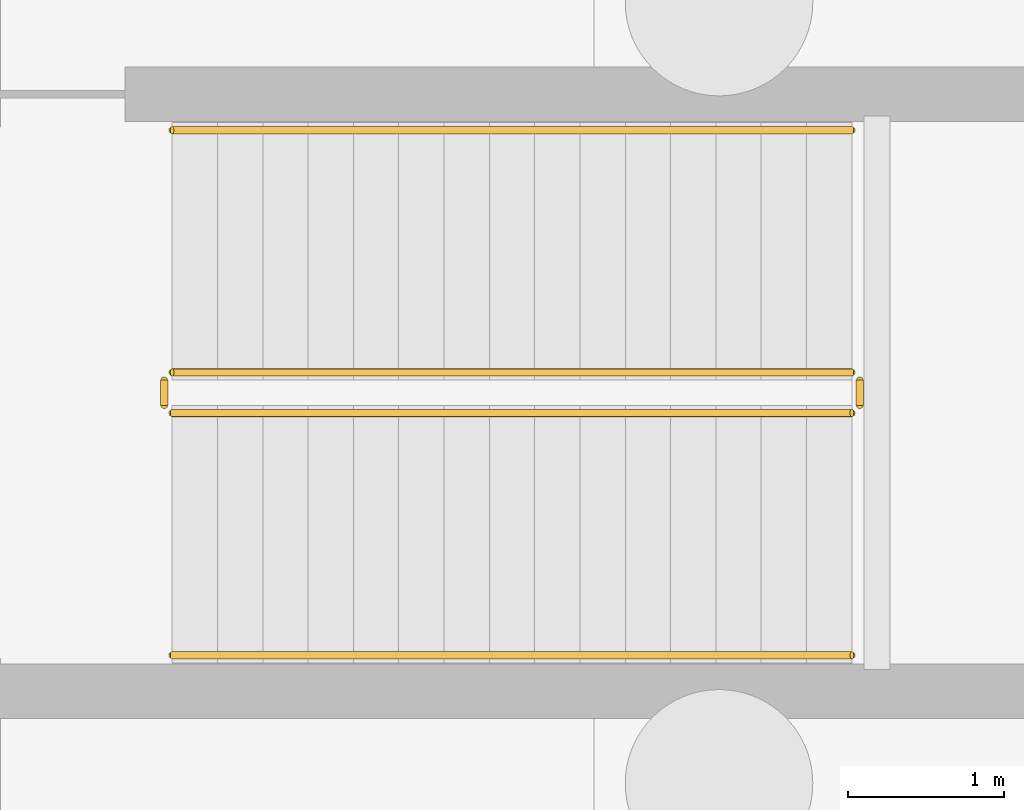
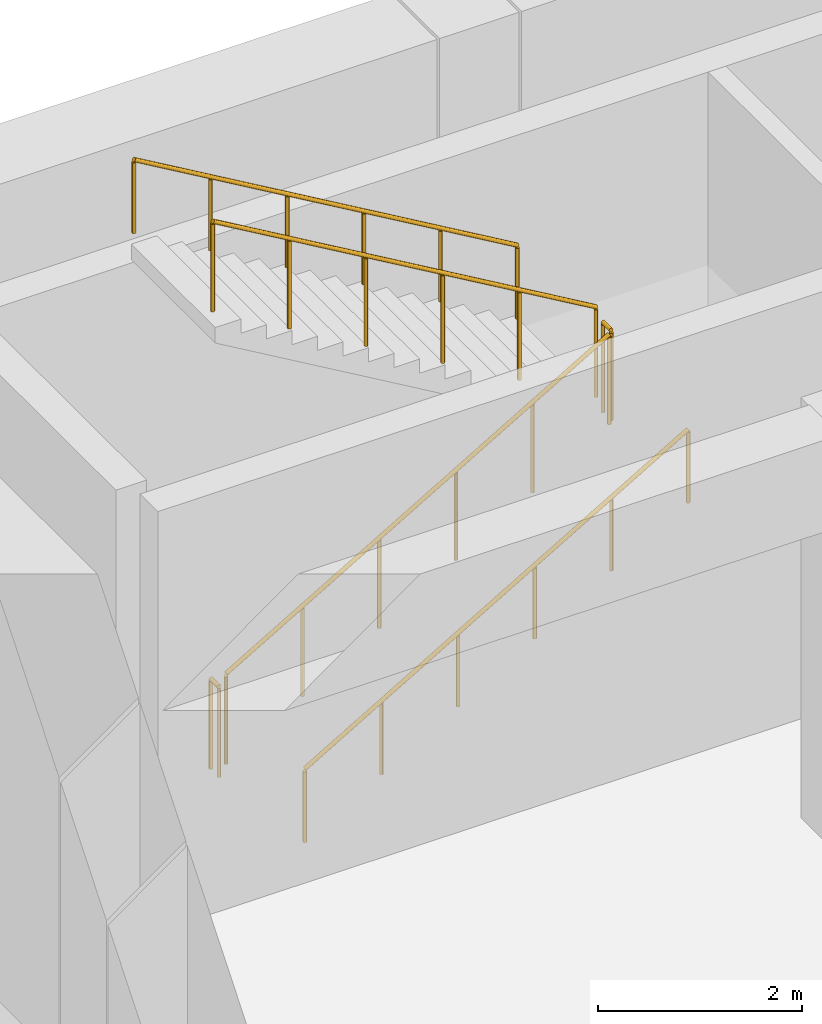
# One storey, part 11 of 12: 6 railings.
"""IFC4 building model written with IfcOpenShell, lengths in metres."""

import ifcopenshell
import ifcopenshell.guid

model = None  # the IFC model being written
_history = None  # IfcOwnerHistory: only IFC2X3 demands one
_inside = {}  # id of a spatial element -> (the spatial element, [elements in it])
_under = {}  # id of a project, library or spatial element -> (it, [spatial elements below it])
_declared = {}  # id of a project -> (the project, [libraries it declares])
_typed = {}  # id of a type object -> (the type object, [elements of that type])
_made_of = {}  # id of a material, layer set ... -> (it, [elements and type objects made of it])


def new_model(schema):
    """Start an empty IFC model of exactly this schema.

    Asked for "IFC4X3", IfcOpenShell would pick the latest addendum, in which some entities
    have other attributes; the version numbers below select the first issue.
    IFC2X3 requires an IfcOwnerHistory on every rooted entity: one is made here for all.
    """
    global model, _history
    if schema == "IFC4X3":
        model = ifcopenshell.file(schema_version=(4, 3, 0, 0))
    else:
        model = ifcopenshell.file(schema=schema)
    _inside.clear()
    _under.clear()
    _declared.clear()
    _typed.clear()
    _made_of.clear()
    _history = None
    if model.schema == "IFC2X3":
        org = make("IfcOrganization", Name="unknown")
        user = make(
            "IfcPersonAndOrganization",
            ThePerson=make("IfcPerson", FamilyName="unknown"),
            TheOrganization=org,
        )
        app = make(
            "IfcApplication",
            ApplicationDeveloper=org,
            Version="unknown",
            ApplicationFullName="unknown",
            ApplicationIdentifier="unknown",
        )
        _history = make(
            "IfcOwnerHistory",
            OwningUser=user,
            OwningApplication=app,
            ChangeAction="ADDED",
            CreationDate=0,
        )
    return model


def make(cls, **values):
    """One entity of the class cls with the attributes given. An attribute that is None is left unset."""
    return model.create_entity(
        cls, **{name: value for name, value in values.items() if value is not None}
    )


def rooted(cls, **values):
    """An entity with a GlobalId (a new one), such as an element, a storey or a relation."""
    return make(cls, GlobalId=ifcopenshell.guid.new(), OwnerHistory=_history, **values)


def si_unit(unit_type, name, prefix=None):
    """IfcSIUnit, for example si_unit("LENGTHUNIT", "METRE", prefix="MILLI")."""
    return make("IfcSIUnit", UnitType=unit_type, Prefix=prefix, Name=name)


def assignment(units):
    """IfcUnitAssignment: the units of a project."""
    return None if units is None else make("IfcUnitAssignment", Units=units)


def point(xyz):
    """IfcCartesianPoint."""
    return None if xyz is None else make("IfcCartesianPoint", Coordinates=xyz)


def direction(xyz):
    """IfcDirection."""
    return None if xyz is None else make("IfcDirection", DirectionRatios=xyz)


def frame(location, z_axis=None, x_axis=None):
    """IfcAxis2Placement3D, a coordinate frame: its origin and axes. An axis left out is left unset."""
    return make(
        "IfcAxis2Placement3D",
        Location=point(location),
        Axis=direction(z_axis),
        RefDirection=direction(x_axis),
    )


def frame_2d(location, x_axis=None):
    """IfcAxis2Placement2D, a coordinate frame in the plane: its origin and x axis."""
    return make(
        "IfcAxis2Placement2D", Location=point(location), RefDirection=direction(x_axis)
    )


def origin():
    """The frame at (0, 0, 0) with its axes left unset."""
    return frame((0.0, 0.0, 0.0))


def origin_2d():
    """The frame at (0, 0) in the plane with its x axis left unset."""
    return frame_2d((0.0, 0.0))


def place(relative_to, where):
    """IfcLocalPlacement: puts the frame where relative to a parent placement (None: the world)."""
    return make(
        "IfcLocalPlacement", PlacementRelTo=relative_to, RelativePlacement=where
    )


def context(
    kind, dimensions, precision=None, world=None, true_north=None, identifier=None
):
    """IfcGeometricRepresentationContext, for example the 3D "Model" context."""
    return make(
        "IfcGeometricRepresentationContext",
        ContextIdentifier=identifier,
        ContextType=kind,
        CoordinateSpaceDimension=dimensions,
        Precision=precision,
        WorldCoordinateSystem=world,
        TrueNorth=true_north,
    )


def subcontext(parent, identifier, kind, view, scale=None):
    """IfcGeometricRepresentationSubContext, for example "Body" below "Model"."""
    return make(
        "IfcGeometricRepresentationSubContext",
        ContextIdentifier=identifier,
        ContextType=kind,
        ParentContext=parent,
        TargetScale=scale,
        TargetView=view,
    )


def project(units=None, contexts=None):
    """IfcProject with its units and contexts."""
    return rooted(
        "IfcProject",
        Name="project",
        RepresentationContexts=contexts,
        UnitsInContext=assignment(units),
    )


def spatial(cls, under=None, at=None, **own):
    """A site, building, storey or space (cls), placed at a placement, below another one or the project."""
    s = rooted(cls, ObjectPlacement=at, **own)
    if under is not None:
        _under.setdefault(under.id(), (under, []))[1].append(s)
    return s


def profile(cls, at=None, kind="AREA", **sizes):
    """A parametric profile (cls). Its sizes go by their IFC names, for example OverallWidth=200.0."""
    return make(cls, ProfileType=kind, Position=at, **sizes)


def circle(**sizes):
    """IfcCircleProfileDef."""
    return profile("IfcCircleProfileDef", **sizes)


def extrude(swept, where, along, depth):
    """IfcExtrudedAreaSolid: the profile swept, set in the frame where, extruded along a direction by depth."""
    return make(
        "IfcExtrudedAreaSolid",
        SweptArea=swept,
        Position=where,
        ExtrudedDirection=direction(along),
        Depth=depth,
    )


def shape(context_of_items, identifier, shape_type, items):
    """IfcShapeRepresentation: the items that make up one representation, for example the "Body"."""
    return make(
        "IfcShapeRepresentation",
        ContextOfItems=context_of_items,
        RepresentationIdentifier=identifier,
        RepresentationType=shape_type,
        Items=items,
    )


def material(Name=None, Category=None):
    """IfcMaterial."""
    return make("IfcMaterial", Name=Name, Category=Category)


def made_of(thing, what):
    """Note that an element or type object is made of a material, layer set ...; save() writes the relation."""
    if what is not None:
        _made_of.setdefault(what.id(), (what, []))[1].append(thing)
    return thing


def type_object(cls, material=None, **own):
    """A type object (cls), such as IfcWallType, which elements share."""
    return made_of(rooted(cls, **own), material)


def element(
    cls,
    number,
    at=None,
    inside=None,
    cuts=None,
    type_object=None,
    material=None,
    context=None,
    identifier="Body",
    shape_type=None,
    held_by="IfcProductDefinitionShape",
    body=None,
    shapes=None,
    **own,
):
    """One element of the class cls, such as IfcWall. Its Tag is "e" and its number.

    at: its placement. inside: the storey or other place that contains it. cuts: it is an
    opening in that element (IfcRelVoidsElement). A single representation is given by context,
    identifier, shape_type and body (its items); several are given by shapes. held_by: the class
    of the entity that holds the representations. save() writes the other relations.
    """
    e = rooted(cls, Tag="e%d" % number, ObjectPlacement=at, **own)
    if body is not None:
        shapes = [shape(context, identifier, shape_type, body)]
    if shapes is not None:
        e.Representation = make(held_by, Representations=shapes)
    if inside is not None:
        _inside.setdefault(inside.id(), (inside, []))[1].append(e)
    if cuts is not None:
        rooted(
            "IfcRelVoidsElement", RelatingBuildingElement=cuts, RelatedOpeningElement=e
        )
    if type_object is not None:
        _typed.setdefault(type_object.id(), (type_object, []))[1].append(e)
    return made_of(e, material)


def aggregate(whole, parts):
    """IfcRelAggregates: a whole, such as a stair, and the parts it consists of."""
    return rooted("IfcRelAggregates", RelatingObject=whole, RelatedObjects=parts)


def save(model, path):
    """Write the relations noted so far, then the file.

    IfcRelAggregates (storeys below a building ...), IfcRelContainedInSpatialStructure (elements
    in a storey), IfcRelDefinesByType, IfcRelAssociatesMaterial and IfcRelDeclares: one each for
    every whole, place, type object, material and project.
    """
    for whole, parts in _under.values():
        aggregate(whole, parts)
    for where, things in _inside.values():
        rooted(
            "IfcRelContainedInSpatialStructure",
            RelatedElements=things,
            RelatingStructure=where,
        )
    for kind, things in _typed.values():
        rooted("IfcRelDefinesByType", RelatedObjects=things, RelatingType=kind)
    for what, things in _made_of.values():
        rooted("IfcRelAssociatesMaterial", RelatedObjects=things, RelatingMaterial=what)
    for by, libraries in _declared.values():
        rooted("IfcRelDeclares", RelatingContext=by, RelatedDefinitions=libraries)
    model.write(path)


model = new_model("IFC4")

# Units and contexts
model_context = context("Model", 3, precision=1e-05, world=origin(), true_north=direction((0.0, 1.0)))
body_context = subcontext(model_context, "Body", "Model", "MODEL_VIEW")
ifc_project = project(units=[si_unit("LENGTHUNIT", "METRE"), si_unit("AREAUNIT", "SQUARE_METRE"), si_unit("VOLUMEUNIT", "CUBIC_METRE"), si_unit("PLANEANGLEUNIT", "RADIAN"), si_unit("MASSUNIT", "GRAM", prefix="KILO")], contexts=[model_context])

# Site, building, storey
site_placement = place(None, origin())
site = spatial("IfcSite", under=ifc_project, at=site_placement, CompositionType="ELEMENT")
building_placement = place(site_placement, origin())
building = spatial("IfcBuilding", under=site, at=building_placement, Name="Kranzveld Transit Interchange", CompositionType="ELEMENT")
storey_placement = place(building_placement, frame((0.0, 0.0, -10.8798828125)))
storey = spatial("IfcBuildingStorey", under=building, at=storey_placement, Name="B2", CompositionType="ELEMENT", Elevation=-10.8798828125)

# Railings
ifc_material_1 = material(Name="Steel S355JR", Category="steel")
railing_type_1 = type_object("IfcRailingType", Name="Stair & Ramp Handrail Steel 900", PredefinedType="HANDRAIL", material=ifc_material_1)
railing_1_placement = place(storey_placement, frame((104.199951171875, 74.320068359375, 0.169921875)))
element("IfcRailing", 1, at=railing_1_placement, inside=storey, type_object=railing_type_1, Name="B2 ST-V4A stair handrail 1", PredefinedType="HANDRAIL", context=body_context, shape_type="SweptSolid", body=[
    extrude(circle(Radius=0.02392578125, at=origin_2d()), frame((0.0, 0.0, 0.8759765625), z_axis=(0.862698698498, 0.0, 0.505718257145), x_axis=(0.0, 1.0, 0.0)), (0.0, 0.0, 1.0), 5.04248046875),
    extrude(circle(Radius=0.02099609375, at=origin_2d()), origin(), (0.0, 0.0, 1.0), 0.849853515625),
    extrude(circle(Radius=0.02099609375, at=origin_2d()), frame((0.8701171875, 0.0, 0.510009765625)), (0.0, 0.0, 1.0), 0.849853515625),
    extrude(circle(Radius=0.02099609375, at=origin_2d()), frame((1.739990234375, 0.0, 1.02001953125)), (0.0, 0.0, 1.0), 0.849853515625),
    extrude(circle(Radius=0.02099609375, at=origin_2d()), frame((2.610107421875, 0.0, 1.530029296875)), (0.0, 0.0, 1.0), 0.849853515625),
    extrude(circle(Radius=0.02099609375, at=origin_2d()), frame((3.47998046875, 0.0, 2.0400390625)), (0.0, 0.0, 1.0), 0.849853515625),
    extrude(circle(Radius=0.02099609375, at=origin_2d()), frame((4.35009765625, 0.0, 2.550048828125)), (0.0, 0.0, 1.0), 0.849853515625),
])
railing_2_placement = place(storey_placement, frame((108.550048828125, 77.679931640625, 2.889892578125)))
element("IfcRailing", 2, at=railing_2_placement, inside=storey, type_object=railing_type_1, Name="B2 ST-V4A stair handrail 2", PredefinedType="HANDRAIL", context=body_context, shape_type="SweptSolid", body=[
    extrude(circle(Radius=0.02392578125, at=origin_2d()), frame((0.0, 0.0, 0.8759765625), z_axis=(-0.862698698498, 0.0, 0.505718257145), x_axis=(0.0, -1.0, 0.0)), (0.0, 0.0, 1.0), 5.04248046875),
    extrude(circle(Radius=0.02099609375, at=origin_2d()), origin(), (0.0, 0.0, 1.0), 0.849853515625),
    extrude(circle(Radius=0.02099609375, at=origin_2d()), frame((-0.8701171875, 0.0, 0.510009765625)), (0.0, 0.0, 1.0), 0.849853515625),
    extrude(circle(Radius=0.02099609375, at=origin_2d()), frame((-1.739990234375, 0.0, 1.02001953125)), (0.0, 0.0, 1.0), 0.849853515625),
    extrude(circle(Radius=0.02099609375, at=origin_2d()), frame((-2.610107421875, 0.0, 1.530029296875)), (0.0, 0.0, 1.0), 0.849853515625),
    extrude(circle(Radius=0.02099609375, at=origin_2d()), frame((-3.47998046875, 0.0, 2.0400390625)), (0.0, 0.0, 1.0), 0.849853515625),
    extrude(circle(Radius=0.02099609375, at=origin_2d()), frame((-4.35009765625, 0.0, 2.550048828125)), (0.0, 0.0, 1.0), 0.849853515625),
])
ifc_material_2 = material(Name="Steel S355JR", Category="steel")
railing_type_2 = type_object("IfcRailingType", Name="Stair Well Guardrail Steel 1100", PredefinedType="GUARDRAIL", material=ifc_material_2)
railing_3_placement = place(storey_placement, frame((104.199951171875, 75.8701171875, 0.169921875)))
element("IfcRailing", 3, at=railing_3_placement, inside=storey, type_object=railing_type_2, Name="B2 ST-V4A stair guard 1", PredefinedType="GUARDRAIL", context=body_context, shape_type="SweptSolid", body=[
    extrude(circle(Radius=0.02392578125, at=origin_2d()), frame((0.0, 0.0, 1.076171875), z_axis=(0.862698698498, 0.0, 0.505718257145), x_axis=(0.0, 1.0, 0.0)), (0.0, 0.0, 1.0), 5.04248046875),
    extrude(circle(Radius=0.02099609375, at=origin_2d()), origin(), (0.0, 0.0, 1.0), 1.050048828125),
    extrude(circle(Radius=0.02099609375, at=origin_2d()), frame((0.8701171875, 0.0, 0.510009765625)), (0.0, 0.0, 1.0), 1.050048828125),
    extrude(circle(Radius=0.02099609375, at=origin_2d()), frame((1.739990234375, 0.0, 1.02001953125)), (0.0, 0.0, 1.0), 1.050048828125),
    extrude(circle(Radius=0.02099609375, at=origin_2d()), frame((2.610107421875, 0.0, 1.530029296875)), (0.0, 0.0, 1.0), 1.050048828125),
    extrude(circle(Radius=0.02099609375, at=origin_2d()), frame((3.47998046875, 0.0, 2.0400390625)), (0.0, 0.0, 1.0), 1.050048828125),
    extrude(circle(Radius=0.02099609375, at=origin_2d()), frame((4.35009765625, 0.0, 2.550048828125)), (0.0, 0.0, 1.0), 1.050048828125),
])
railing_4_placement = place(storey_placement, frame((108.60009765625, 75.919921875, 2.719970703125)))
element("IfcRailing", 4, at=railing_4_placement, inside=storey, type_object=railing_type_2, Name="B2 ST-V4A stair guard 2", PredefinedType="GUARDRAIL", context=body_context, shape_type="SweptSolid", body=[
    extrude(circle(Radius=0.02392578125, at=origin_2d()), frame((0.0, 0.0, 1.076171875), z_axis=(0.0, 1.0, 0.0), x_axis=(-1.0, 0.0, 0.0)), (0.0, 0.0, 1.0), 0.16015625),
    extrude(circle(Radius=0.02099609375, at=origin_2d()), origin(), (0.0, 0.0, 1.0), 1.050048828125),
    extrude(circle(Radius=0.02099609375, at=origin_2d()), frame((0.0, 0.16015625, 0.0)), (0.0, 0.0, 1.0), 1.050048828125),
])
railing_5_placement = place(storey_placement, frame((108.550048828125, 76.1298828125, 2.889892578125)))
element("IfcRailing", 5, at=railing_5_placement, inside=storey, type_object=railing_type_2, Name="B2 ST-V4A stair guard 3", PredefinedType="GUARDRAIL", context=body_context, shape_type="SweptSolid", body=[
    extrude(circle(Radius=0.02392578125, at=origin_2d()), frame((0.0, 0.0, 1.076171875), z_axis=(-0.862698698498, 0.0, 0.505718257145), x_axis=(0.0, -1.0, 0.0)), (0.0, 0.0, 1.0), 5.04248046875),
    extrude(circle(Radius=0.02099609375, at=origin_2d()), origin(), (0.0, 0.0, 1.0), 1.050048828125),
    extrude(circle(Radius=0.02099609375, at=origin_2d()), frame((-0.8701171875, 0.0, 0.510009765625)), (0.0, 0.0, 1.0), 1.050048828125),
    extrude(circle(Radius=0.02099609375, at=origin_2d()), frame((-1.739990234375, 0.0, 1.02001953125)), (0.0, 0.0, 1.0), 1.050048828125),
    extrude(circle(Radius=0.02099609375, at=origin_2d()), frame((-2.610107421875, 0.0, 1.530029296875)), (0.0, 0.0, 1.0), 1.050048828125),
    extrude(circle(Radius=0.02099609375, at=origin_2d()), frame((-3.47998046875, 0.0, 2.0400390625)), (0.0, 0.0, 1.0), 1.050048828125),
    extrude(circle(Radius=0.02099609375, at=origin_2d()), frame((-4.35009765625, 0.0, 2.550048828125)), (0.0, 0.0, 1.0), 1.050048828125),
])
railing_6_placement = place(storey_placement, frame((104.14990234375, 75.919921875, 0.0)))
element("IfcRailing", 6, at=railing_6_placement, inside=storey, type_object=railing_type_2, Name="B2 ST-V4A stair guard 4", PredefinedType="GUARDRAIL", context=body_context, shape_type="SweptSolid", body=[
    extrude(circle(Radius=0.02392578125, at=origin_2d()), frame((0.0, 0.0, 1.076171875), z_axis=(0.0, 1.0, 0.0), x_axis=(-1.0, 0.0, 0.0)), (0.0, 0.0, 1.0), 0.16015625),
    extrude(circle(Radius=0.02099609375, at=origin_2d()), origin(), (0.0, 0.0, 1.0), 1.050048828125),
    extrude(circle(Radius=0.02099609375, at=origin_2d()), frame((0.0, 0.16015625, 0.0)), (0.0, 0.0, 1.0), 1.050048828125),
])

save(model, "model.ifc")
